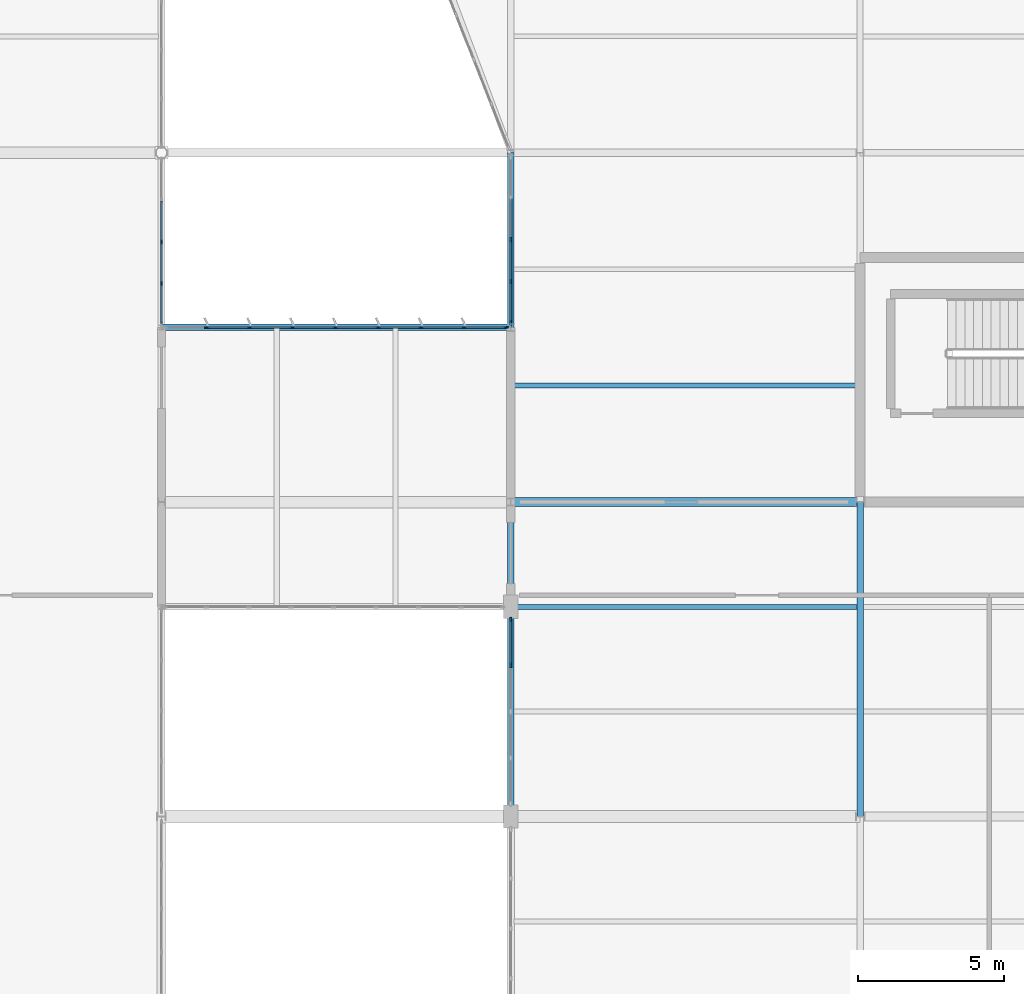
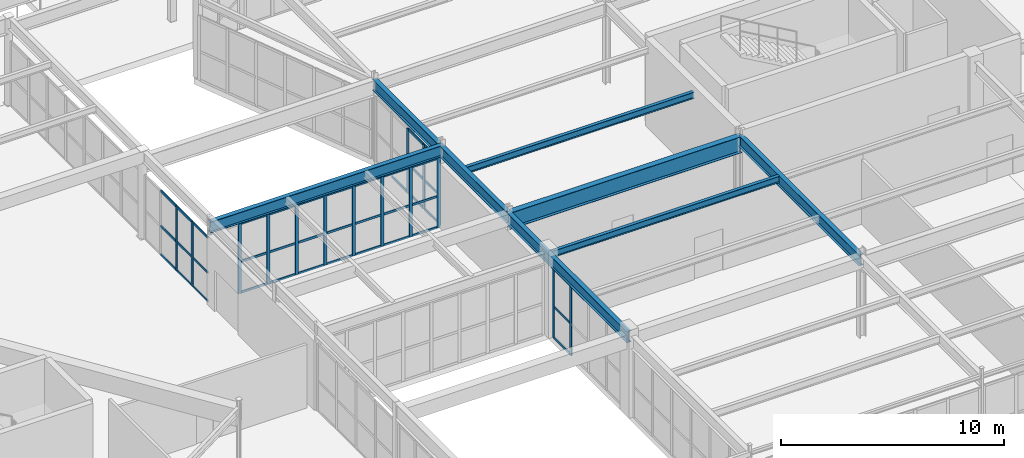
# One storey, part 87 of 186: 55 members, 7 beams, 4 elements without a shape of their own.
"""IFC4 building model written with IfcOpenShell, lengths in metres."""

from ifc_helpers import new_model, si_unit, direction, frame, origin, origin_2d, place, context, subcontext, project, spatial, rectangle, i_section, extrude, material, layer, layer_set, material_profile, profile_set, type_object, element, aggregate, save


model = new_model("IFC4")

# Units and contexts
model_context = context("Model", 3, precision=1e-05, world=origin(), true_north=direction((0.0, 1.0)))
body_context = subcontext(model_context, "Body", "Model", "MODEL_VIEW")
ifc_project = project(units=[si_unit("LENGTHUNIT", "METRE"), si_unit("AREAUNIT", "SQUARE_METRE"), si_unit("VOLUMEUNIT", "CUBIC_METRE"), si_unit("PLANEANGLEUNIT", "RADIAN"), si_unit("MASSUNIT", "GRAM", prefix="KILO")], contexts=[model_context])

# Site, building, storey
site_placement = place(None, origin())
site = spatial("IfcSite", under=ifc_project, at=site_placement, CompositionType="ELEMENT")
building_placement = place(site_placement, origin())
building = spatial("IfcBuilding", under=site, at=building_placement, Name="Tarnwether General Hospital", CompositionType="ELEMENT")
storey_placement = place(building_placement, frame((0.0, 0.0, 9.60009765625)))
storey = spatial("IfcBuildingStorey", under=building, at=storey_placement, Name="L02", CompositionType="ELEMENT", Elevation=9.60009765625)

# Beams
ifc_material_1 = material(Name="Steel Grade 350 (350 MPa)", Category="steel")
ifc_material_profile_1 = material_profile(ifc_material_1, i_section(OverallWidth=0.300048828125, OverallDepth=0.89990234375, WebThickness=0.011962890625, FlangeThickness=0.02001953125, at=origin_2d()), Name="900WB175")
ifc_profile_set_1 = profile_set([ifc_material_profile_1], Name="Steel Grade 350 (350 MPa)")
beam_type_1 = type_object("IfcBeamType", Name="BM-G01", PredefinedType="BEAM", material=ifc_profile_set_1)
beam_1_placement = place(storey_placement, frame((144.0, 21.60009765625, 3.994873046875), z_axis=(1.0, 0.0, 0.0), x_axis=(0.0, 1.0, 0.0)))
element("IfcBeam", 1, at=beam_1_placement, inside=storey, type_object=beam_type_1, Name="Primary Girder BMG-L02-14400_2160-15600_2160-1571", PredefinedType="BEAM", context=body_context, shape_type="SweptSolid", body=[
    extrude(i_section(OverallWidth=0.300048828125, OverallDepth=0.89990234375, WebThickness=0.011962890625, FlangeThickness=0.02001953125, at=origin_2d()), origin(), (0.0, 0.0, 1.0), 12.0),
])
ifc_material_2 = material(Name="Steel Grade 350 (350 MPa)", Category="steel")
ifc_material_profile_2 = material_profile(ifc_material_2, i_section(OverallWidth=0.22900390625, OverallDepth=0.612060546875, WebThickness=0.011962890625, FlangeThickness=0.01953125, at=origin_2d()), Name="610UB125")
ifc_profile_set_2 = profile_set([ifc_material_profile_2], Name="Steel Grade 350 (350 MPa)")
beam_type_2 = type_object("IfcBeamType", Name="BM-G03", PredefinedType="BEAM", material=ifc_profile_set_2)
beam_2_placement = place(storey_placement, frame((144.0, 10.800048828125, 4.138916015625), z_axis=(0.0, 1.0, 0.0), x_axis=(-1.0, 0.0, 0.0)))
element("IfcBeam", 2, at=beam_2_placement, inside=storey, type_object=beam_type_2, Name="Primary Girder BMG-L02-14400_1080-14400_2160-1570", PredefinedType="BEAM", context=body_context, shape_type="SweptSolid", body=[
    extrude(i_section(OverallWidth=0.22900390625, OverallDepth=0.612060546875, WebThickness=0.011962890625, FlangeThickness=0.01953125, at=origin_2d()), origin(), (0.0, 0.0, 1.0), 10.800048828125),
])
beam_3_placement = place(storey_placement, frame((132.0, 27.60009765625, 4.183837890625), z_axis=(1.0, 0.0, 0.0), x_axis=(0.0, 1.0, 0.0)))
element("IfcBeam", 3, at=beam_3_placement, inside=storey, type_object=beam_type_2, Name="Court Link Bridge Girder South BMG-L02-13200_2760-14400_2760-1871", PredefinedType="BEAM", context=body_context, shape_type="SweptSolid", body=[
    extrude(i_section(OverallWidth=0.22900390625, OverallDepth=0.612060546875, WebThickness=0.011962890625, FlangeThickness=0.01953125, at=origin_2d()), origin(), (0.0, 0.0, 1.0), 12.0),
])
ifc_material_3 = material(Name="Steel Grade 350 (350 MPa)", Category="steel")
ifc_material_profile_3 = material_profile(ifc_material_3, i_section(OverallWidth=0.22802734375, OverallDepth=0.60693359375, WebThickness=0.01123046875, FlangeThickness=0.017333984375, at=origin_2d()), Name="610UB113")
ifc_profile_set_3 = profile_set([ifc_material_profile_3], Name="Steel Grade 350 (350 MPa)")
beam_type_3 = type_object("IfcBeamType", Name="BM-G04", PredefinedType="BEAM", material=ifc_profile_set_3)
beam_4_placement = place(storey_placement, frame((144.0, 21.60009765625, 4.141357421875), z_axis=(0.0, 1.0, 0.0), x_axis=(-1.0, 0.0, 0.0)))
element("IfcBeam", 4, at=beam_4_placement, inside=storey, type_object=beam_type_3, Name="Primary Girder BMG-L02-14400_2160-14400_3360-1572", PredefinedType="BEAM", context=body_context, shape_type="SweptSolid", body=[
    extrude(i_section(OverallWidth=0.22802734375, OverallDepth=0.60693359375, WebThickness=0.01123046875, FlangeThickness=0.017333984375, at=origin_2d()), origin(), (0.0, 0.0, 1.0), 12.0),
])
beam_5_placement = place(storey_placement, frame((156.0, 10.800048828125, 4.141357421875), z_axis=(0.0, 1.0, 0.0), x_axis=(-1.0, 0.0, 0.0)))
element("IfcBeam", 5, at=beam_5_placement, inside=storey, type_object=beam_type_3, Name="Primary Girder BMG-L02-15600_1080-15600_2160-1591", PredefinedType="BEAM", context=body_context, shape_type="SweptSolid", body=[
    extrude(i_section(OverallWidth=0.22802734375, OverallDepth=0.60693359375, WebThickness=0.01123046875, FlangeThickness=0.017333984375, at=origin_2d()), origin(), (0.0, 0.0, 1.0), 10.800048828125),
])
ifc_material_4 = material(Name="Steel Grade 350 (350 MPa)", Category="steel")
ifc_material_profile_4 = material_profile(ifc_material_4, i_section(OverallWidth=0.1708984375, OverallDepth=0.35595703125, WebThickness=0.00732421875, FlangeThickness=0.011474609375, at=origin_2d()), Name="360UB50.7")
ifc_profile_set_4 = profile_set([ifc_material_profile_4], Name="Steel Grade 350 (350 MPa)")
beam_type_4 = type_object("IfcBeamType", Name="BM-J04", PredefinedType="JOIST", material=ifc_profile_set_4)
for number, where, z_axis, x_axis, name in (
    (6, (144.10791015625, 18.0, 4.266845703125), (1.0, 0.0, 0.0), (0.0, 1.0, 0.0), "Composite Floor Joist BMG-L02-14411_1800-15589_1800-1709"),
    (7, (144.10791015625, 25.60009765625, 4.266845703125), (1.0, 0.0, 0.0), (0.0, 1.0, 0.0), "Composite Floor Joist BMG-L02-14411_2560-15589_2560-1710"),
):
    element("IfcBeam", number, at=place(storey_placement, frame(where, z_axis=z_axis, x_axis=x_axis)), inside=storey, type_object=beam_type_4, Name=name, PredefinedType="JOIST", context=body_context, shape_type="SweptSolid", body=[
        extrude(i_section(OverallWidth=0.1708984375, OverallDepth=0.35595703125, WebThickness=0.00732421875, FlangeThickness=0.011474609375, at=origin_2d()), origin(), (0.0, 0.0, 1.0), 11.7841796875),
    ])

# Curtain wall, members
ifc_material_5 = material(Name="Anodised aluminium", Category="aluminium")
ifc_layer_1 = layer(ifc_material_5, 0.159912109375)
ifc_layer_set_1 = layer_set([ifc_layer_1], Name="Anodised aluminium")
curtain_wall_type_1 = type_object("IfcCurtainWallType", Name="CW-15", PredefinedType="NOTDEFINED", material=ifc_layer_set_1)
curtain_wall_1_placement = place(storey_placement, origin())
curtain_wall_1 = element("IfcCurtainWall", 8, at=curtain_wall_1_placement, inside=storey, type_object=curtain_wall_type_1, Name="Curtain Wall CWG-L02-1440_112-0437", PredefinedType="NOTDEFINED")
ifc_material_6 = material(Name="Anodised aluminium", Category="aluminium")
ifc_material_profile_5 = material_profile(ifc_material_6, rectangle(XDim=0.06005859375, YDim=0.159912109375, at=origin_2d()), Name="ALU-MUL-60x160")
ifc_profile_set_5 = profile_set([ifc_material_profile_5], Name="Anodised aluminium")
member_type_1 = type_object("IfcMemberType", Name="CW-ML1", PredefinedType="MULLION", material=ifc_profile_set_5)
member_1_placement = place(storey_placement, frame((144.0, 15.99609375, 0.0), z_axis=(0.0, 0.0, 1.0), x_axis=(-1.0, 0.0, 0.0)))
member_1 = element("IfcMember", 9, at=member_1_placement, type_object=member_type_1, Name="CW-15 mullion 4", PredefinedType="MULLION", context=body_context, shape_type="SweptSolid", body=[
    extrude(rectangle(XDim=0.06005859375, YDim=0.159912109375, at=origin_2d()), origin(), (0.0, 0.0, 1.0), 3.81787109375),
])
member_2_placement = place(storey_placement, frame((144.0, 17.56201171875, 0.0), z_axis=(0.0, 0.0, 1.0), x_axis=(-1.0, 0.0, 0.0)))
member_2 = element("IfcMember", 10, at=member_2_placement, type_object=member_type_1, Name="CW-15 mullion 5", PredefinedType="MULLION", context=body_context, shape_type="SweptSolid", body=[
    extrude(rectangle(XDim=0.06005859375, YDim=0.159912109375, at=origin_2d()), origin(), (0.0, 0.0, 1.0), 3.81787109375),
])

curtain_wall_2_placement = place(storey_placement, origin())
curtain_wall_2 = element("IfcCurtainWall", 11, at=curtain_wall_2_placement, inside=storey, type_object=curtain_wall_type_1, Name="Curtain Wall CWG-L02-1320_334-0439", PredefinedType="NOTDEFINED")
member_3_placement = place(storey_placement, frame((132.0, 30.53662109375, 0.0), z_axis=(0.0, 0.0, 1.0), x_axis=(1.0, 0.0, 0.0)))
member_3 = element("IfcMember", 12, at=member_3_placement, type_object=member_type_1, Name="CW-15 mullion 3", PredefinedType="MULLION", context=body_context, shape_type="SweptSolid", body=[
    extrude(rectangle(XDim=0.06005859375, YDim=0.159912109375, at=origin_2d()), origin(), (0.0, 0.0, 1.0), 3.52978515625),
])
member_4_placement = place(storey_placement, frame((132.0, 29.1103515625, 0.0), z_axis=(0.0, 0.0, 1.0), x_axis=(1.0, 0.0, 0.0)))
member_4 = element("IfcMember", 13, at=member_4_placement, type_object=member_type_1, Name="CW-15 mullion 4", PredefinedType="MULLION", context=body_context, shape_type="SweptSolid", body=[
    extrude(rectangle(XDim=0.06005859375, YDim=0.159912109375, at=origin_2d()), origin(), (0.0, 0.0, 1.0), 3.52978515625),
])

curtain_wall_3_placement = place(storey_placement, origin())
curtain_wall_3 = element("IfcCurtainWall", 14, at=curtain_wall_3_placement, inside=storey, type_object=curtain_wall_type_1, Name="Curtain Wall CWG-L02-1440_277-0440", PredefinedType="NOTDEFINED")
member_5_placement = place(storey_placement, frame((144.0, 27.764892578125, 0.0), z_axis=(0.0, 0.0, 1.0), x_axis=(-1.0, 0.0, 0.0)))
member_5 = element("IfcMember", 15, at=member_5_placement, type_object=member_type_1, Name="CW-15 mullion 1", PredefinedType="MULLION", context=body_context, shape_type="SweptSolid", body=[
    extrude(rectangle(XDim=0.06005859375, YDim=0.159912109375, at=origin_2d()), origin(), (0.0, 0.0, 1.0), 3.52978515625),
])
member_6_placement = place(storey_placement, frame((144.0, 29.173095703125, 0.0), z_axis=(0.0, 0.0, 1.0), x_axis=(-1.0, 0.0, 0.0)))
member_6 = element("IfcMember", 16, at=member_6_placement, type_object=member_type_1, Name="CW-15 mullion 2", PredefinedType="MULLION", context=body_context, shape_type="SweptSolid", body=[
    extrude(rectangle(XDim=0.06005859375, YDim=0.159912109375, at=origin_2d()), origin(), (0.0, 0.0, 1.0), 3.52978515625),
])
member_7_placement = place(storey_placement, frame((144.0, 30.611083984375, 0.0), z_axis=(0.0, 0.0, 1.0), x_axis=(-1.0, 0.0, 0.0)))
member_7 = element("IfcMember", 17, at=member_7_placement, type_object=member_type_1, Name="CW-15 mullion 3", PredefinedType="MULLION", context=body_context, shape_type="SweptSolid", body=[
    extrude(rectangle(XDim=0.06005859375, YDim=0.159912109375, at=origin_2d()), origin(), (0.0, 0.0, 1.0), 3.52978515625),
])

ifc_material_7 = material(Name="Anodised aluminium", Category="aluminium")
ifc_layer_2 = layer(ifc_material_7, 0.159912109375)
ifc_layer_set_2 = layer_set([ifc_layer_2], Name="Anodised aluminium")
curtain_wall_type_2 = type_object("IfcCurtainWallType", Name="CW-21", PredefinedType="NOTDEFINED", material=ifc_layer_set_2)
curtain_wall_4_placement = place(storey_placement, origin())
curtain_wall_4 = element("IfcCurtainWall", 18, at=curtain_wall_4_placement, inside=storey, type_object=curtain_wall_type_2, Name="Curtain Wall CWG-L02-1321_276-0472", PredefinedType="NOTDEFINED")
member_8_placement = place(storey_placement, frame((133.556640625, 27.60009765625, 0.0), z_axis=(0.0, 0.0, 1.0), x_axis=(0.0, 1.0, 0.0)))
member_8 = element("IfcMember", 19, at=member_8_placement, type_object=member_type_1, Name="CW-21 mullion 2", PredefinedType="MULLION", context=body_context, shape_type="SweptSolid", body=[
    extrude(rectangle(XDim=0.06005859375, YDim=0.159912109375, at=origin_2d()), origin(), (0.0, 0.0, 1.0), 3.822998046875),
])
member_9_placement = place(storey_placement, frame((135.029296875, 27.60009765625, 0.0), z_axis=(0.0, 0.0, 1.0), x_axis=(0.0, 1.0, 0.0)))
member_9 = element("IfcMember", 20, at=member_9_placement, type_object=member_type_1, Name="CW-21 mullion 3", PredefinedType="MULLION", context=body_context, shape_type="SweptSolid", body=[
    extrude(rectangle(XDim=0.06005859375, YDim=0.159912109375, at=origin_2d()), origin(), (0.0, 0.0, 1.0), 3.822998046875),
])
member_10_placement = place(storey_placement, frame((136.501953125, 27.60009765625, 0.0), z_axis=(0.0, 0.0, 1.0), x_axis=(0.0, 1.0, 0.0)))
member_10 = element("IfcMember", 21, at=member_10_placement, type_object=member_type_1, Name="CW-21 mullion 4", PredefinedType="MULLION", context=body_context, shape_type="SweptSolid", body=[
    extrude(rectangle(XDim=0.06005859375, YDim=0.159912109375, at=origin_2d()), origin(), (0.0, 0.0, 1.0), 3.822998046875),
])
member_11_placement = place(storey_placement, frame((137.974609375, 27.60009765625, 0.0), z_axis=(0.0, 0.0, 1.0), x_axis=(0.0, 1.0, 0.0)))
member_11 = element("IfcMember", 22, at=member_11_placement, type_object=member_type_1, Name="CW-21 mullion 5", PredefinedType="MULLION", context=body_context, shape_type="SweptSolid", body=[
    extrude(rectangle(XDim=0.06005859375, YDim=0.159912109375, at=origin_2d()), origin(), (0.0, 0.0, 1.0), 3.822998046875),
])
member_12_placement = place(storey_placement, frame((139.447021484375, 27.60009765625, 0.0), z_axis=(0.0, 0.0, 1.0), x_axis=(0.0, 1.0, 0.0)))
member_12 = element("IfcMember", 23, at=member_12_placement, type_object=member_type_1, Name="CW-21 mullion 6", PredefinedType="MULLION", context=body_context, shape_type="SweptSolid", body=[
    extrude(rectangle(XDim=0.06005859375, YDim=0.159912109375, at=origin_2d()), origin(), (0.0, 0.0, 1.0), 3.822998046875),
])
member_13_placement = place(storey_placement, frame((140.919677734375, 27.60009765625, 0.0), z_axis=(0.0, 0.0, 1.0), x_axis=(0.0, 1.0, 0.0)))
member_13 = element("IfcMember", 24, at=member_13_placement, type_object=member_type_1, Name="CW-21 mullion 7", PredefinedType="MULLION", context=body_context, shape_type="SweptSolid", body=[
    extrude(rectangle(XDim=0.06005859375, YDim=0.159912109375, at=origin_2d()), origin(), (0.0, 0.0, 1.0), 3.822998046875),
])
member_14_placement = place(storey_placement, frame((142.392333984375, 27.60009765625, 0.0), z_axis=(0.0, 0.0, 1.0), x_axis=(0.0, 1.0, 0.0)))
member_14 = element("IfcMember", 25, at=member_14_placement, type_object=member_type_1, Name="CW-21 mullion 8", PredefinedType="MULLION", context=body_context, shape_type="SweptSolid", body=[
    extrude(rectangle(XDim=0.06005859375, YDim=0.159912109375, at=origin_2d()), origin(), (0.0, 0.0, 1.0), 3.822998046875),
])
member_15_placement = place(storey_placement, frame((143.8349609375, 27.60009765625, 0.0), z_axis=(0.0, 0.0, 1.0), x_axis=(0.0, 1.0, 0.0)))
member_15 = element("IfcMember", 26, at=member_15_placement, type_object=member_type_1, Name="CW-21 mullion 9", PredefinedType="MULLION", context=body_context, shape_type="SweptSolid", body=[
    extrude(rectangle(XDim=0.06005859375, YDim=0.159912109375, at=origin_2d()), origin(), (0.0, 0.0, 1.0), 3.822998046875),
])

# Member
ifc_material_8 = material(Name="Anodised aluminium", Category="aluminium")
ifc_material_profile_6 = material_profile(ifc_material_8, rectangle(XDim=0.06005859375, YDim=0.1201171875, at=origin_2d()), Name="ALU-TRN-60x120")
ifc_profile_set_6 = profile_set([ifc_material_profile_6], Name="Anodised aluminium")
member_type_2 = type_object("IfcMemberType", Name="CW-TR1", PredefinedType="USERDEFINED", material=ifc_profile_set_6)
member_16_placement = place(storey_placement, frame((144.0, 16.02587890625, 0.02978515625), z_axis=(0.0, 1.0, 0.0), x_axis=(-1.0, 0.0, 0.0)))
member_16 = element("IfcMember", 27, at=member_16_placement, type_object=member_type_2, Name="CW-15 transom 4.1", ObjectType="TRANSOM", PredefinedType="USERDEFINED", context=body_context, shape_type="SweptSolid", body=[
    extrude(rectangle(XDim=0.06005859375, YDim=0.1201171875, at=origin_2d()), origin(), (0.0, 0.0, 1.0), 1.506103515625),
])

member_17_placement = place(storey_placement, frame((144.0, 16.02587890625, 1.718017578125), z_axis=(0.0, 1.0, 0.0), x_axis=(-1.0, 0.0, 0.0)))
member_17 = element("IfcMember", 28, at=member_17_placement, type_object=member_type_2, Name="CW-15 transom 4.2", ObjectType="TRANSOM", PredefinedType="USERDEFINED", context=body_context, shape_type="SweptSolid", body=[
    extrude(rectangle(XDim=0.06005859375, YDim=0.1201171875, at=origin_2d()), origin(), (0.0, 0.0, 1.0), 1.506103515625),
])

member_18_placement = place(storey_placement, frame((144.0, 16.02587890625, 3.787841796875), z_axis=(0.0, 1.0, 0.0), x_axis=(-1.0, 0.0, 0.0)))
member_18 = element("IfcMember", 29, at=member_18_placement, type_object=member_type_2, Name="CW-15 transom 4.3", ObjectType="TRANSOM", PredefinedType="USERDEFINED", context=body_context, shape_type="SweptSolid", body=[
    extrude(rectangle(XDim=0.06005859375, YDim=0.1201171875, at=origin_2d()), origin(), (0.0, 0.0, 1.0), 1.506103515625),
])

aggregate(curtain_wall_1, [member_1, member_2, member_16, member_17, member_18])

member_19_placement = place(storey_placement, frame((132.0, 31.932861328125, 0.02978515625), z_axis=(0.0, -1.0, 0.0), x_axis=(1.0, 0.0, 0.0)))
member_19 = element("IfcMember", 30, at=member_19_placement, type_object=member_type_2, Name="CW-15 transom 2.1", ObjectType="TRANSOM", PredefinedType="USERDEFINED", context=body_context, shape_type="SweptSolid", body=[
    extrude(rectangle(XDim=0.06005859375, YDim=0.1201171875, at=origin_2d()), origin(), (0.0, 0.0, 1.0), 1.366455078125),
])

member_20_placement = place(storey_placement, frame((132.0, 31.932861328125, 1.58837890625), z_axis=(0.0, -1.0, 0.0), x_axis=(1.0, 0.0, 0.0)))
member_20 = element("IfcMember", 31, at=member_20_placement, type_object=member_type_2, Name="CW-15 transom 2.2", ObjectType="TRANSOM", PredefinedType="USERDEFINED", context=body_context, shape_type="SweptSolid", body=[
    extrude(rectangle(XDim=0.06005859375, YDim=0.1201171875, at=origin_2d()), origin(), (0.0, 0.0, 1.0), 1.366455078125),
])

member_21_placement = place(storey_placement, frame((132.0, 31.932861328125, 3.5), z_axis=(0.0, -1.0, 0.0), x_axis=(1.0, 0.0, 0.0)))
member_21 = element("IfcMember", 32, at=member_21_placement, type_object=member_type_2, Name="CW-15 transom 2.3", ObjectType="TRANSOM", PredefinedType="USERDEFINED", context=body_context, shape_type="SweptSolid", body=[
    extrude(rectangle(XDim=0.06005859375, YDim=0.1201171875, at=origin_2d()), origin(), (0.0, 0.0, 1.0), 1.366455078125),
])

member_22_placement = place(storey_placement, frame((132.0, 30.506591796875, 0.02978515625), z_axis=(0.0, -1.0, 0.0), x_axis=(1.0, 0.0, 0.0)))
member_22 = element("IfcMember", 33, at=member_22_placement, type_object=member_type_2, Name="CW-15 transom 3.1", ObjectType="TRANSOM", PredefinedType="USERDEFINED", context=body_context, shape_type="SweptSolid", body=[
    extrude(rectangle(XDim=0.06005859375, YDim=0.1201171875, at=origin_2d()), origin(), (0.0, 0.0, 1.0), 1.366455078125),
])

member_23_placement = place(storey_placement, frame((132.0, 30.506591796875, 1.58837890625), z_axis=(0.0, -1.0, 0.0), x_axis=(1.0, 0.0, 0.0)))
member_23 = element("IfcMember", 34, at=member_23_placement, type_object=member_type_2, Name="CW-15 transom 3.2", ObjectType="TRANSOM", PredefinedType="USERDEFINED", context=body_context, shape_type="SweptSolid", body=[
    extrude(rectangle(XDim=0.06005859375, YDim=0.1201171875, at=origin_2d()), origin(), (0.0, 0.0, 1.0), 1.366455078125),
])

member_24_placement = place(storey_placement, frame((132.0, 30.506591796875, 3.5), z_axis=(0.0, -1.0, 0.0), x_axis=(1.0, 0.0, 0.0)))
member_24 = element("IfcMember", 35, at=member_24_placement, type_object=member_type_2, Name="CW-15 transom 3.3", ObjectType="TRANSOM", PredefinedType="USERDEFINED", context=body_context, shape_type="SweptSolid", body=[
    extrude(rectangle(XDim=0.06005859375, YDim=0.1201171875, at=origin_2d()), origin(), (0.0, 0.0, 1.0), 1.366455078125),
])

member_25_placement = place(storey_placement, frame((132.0, 29.080322265625, 0.02978515625), z_axis=(0.0, -1.0, 0.0), x_axis=(1.0, 0.0, 0.0)))
member_25 = element("IfcMember", 36, at=member_25_placement, type_object=member_type_2, Name="CW-15 transom 4.1", ObjectType="TRANSOM", PredefinedType="USERDEFINED", context=body_context, shape_type="SweptSolid", body=[
    extrude(rectangle(XDim=0.06005859375, YDim=0.1201171875, at=origin_2d()), origin(), (0.0, 0.0, 1.0), 1.33642578125),
])

member_26_placement = place(storey_placement, frame((132.0, 29.080322265625, 1.58837890625), z_axis=(0.0, -1.0, 0.0), x_axis=(1.0, 0.0, 0.0)))
member_26 = element("IfcMember", 37, at=member_26_placement, type_object=member_type_2, Name="CW-15 transom 4.2", ObjectType="TRANSOM", PredefinedType="USERDEFINED", context=body_context, shape_type="SweptSolid", body=[
    extrude(rectangle(XDim=0.06005859375, YDim=0.1201171875, at=origin_2d()), origin(), (0.0, 0.0, 1.0), 1.33642578125),
])

member_27_placement = place(storey_placement, frame((132.0, 29.080322265625, 3.5), z_axis=(0.0, -1.0, 0.0), x_axis=(1.0, 0.0, 0.0)))
member_27 = element("IfcMember", 38, at=member_27_placement, type_object=member_type_2, Name="CW-15 transom 4.3", ObjectType="TRANSOM", PredefinedType="USERDEFINED", context=body_context, shape_type="SweptSolid", body=[
    extrude(rectangle(XDim=0.06005859375, YDim=0.1201171875, at=origin_2d()), origin(), (0.0, 0.0, 1.0), 1.33642578125),
])

aggregate(curtain_wall_2, [member_3, member_4, member_19, member_20, member_21, member_22, member_23, member_24, member_25, member_26, member_27])

member_28_placement = place(storey_placement, frame((144.0, 27.794921875, 0.02978515625), z_axis=(0.0, 1.0, 0.0), x_axis=(-1.0, 0.0, 0.0)))
member_28 = element("IfcMember", 39, at=member_28_placement, type_object=member_type_2, Name="CW-15 transom 1.1", ObjectType="TRANSOM", PredefinedType="USERDEFINED", context=body_context, shape_type="SweptSolid", body=[
    extrude(rectangle(XDim=0.06005859375, YDim=0.1201171875, at=origin_2d()), origin(), (0.0, 0.0, 1.0), 1.34814453125),
])

member_29_placement = place(storey_placement, frame((144.0, 27.794921875, 1.58837890625), z_axis=(0.0, 1.0, 0.0), x_axis=(-1.0, 0.0, 0.0)))
member_29 = element("IfcMember", 40, at=member_29_placement, type_object=member_type_2, Name="CW-15 transom 1.2", ObjectType="TRANSOM", PredefinedType="USERDEFINED", context=body_context, shape_type="SweptSolid", body=[
    extrude(rectangle(XDim=0.06005859375, YDim=0.1201171875, at=origin_2d()), origin(), (0.0, 0.0, 1.0), 1.34814453125),
])

member_30_placement = place(storey_placement, frame((144.0, 27.794921875, 3.5), z_axis=(0.0, 1.0, 0.0), x_axis=(-1.0, 0.0, 0.0)))
member_30 = element("IfcMember", 41, at=member_30_placement, type_object=member_type_2, Name="CW-15 transom 1.3", ObjectType="TRANSOM", PredefinedType="USERDEFINED", context=body_context, shape_type="SweptSolid", body=[
    extrude(rectangle(XDim=0.06005859375, YDim=0.1201171875, at=origin_2d()), origin(), (0.0, 0.0, 1.0), 1.34814453125),
])

member_31_placement = place(storey_placement, frame((144.0, 29.202880859375, 0.02978515625), z_axis=(0.0, 1.0, 0.0), x_axis=(-1.0, 0.0, 0.0)))
member_31 = element("IfcMember", 42, at=member_31_placement, type_object=member_type_2, Name="CW-15 transom 2.1", ObjectType="TRANSOM", PredefinedType="USERDEFINED", context=body_context, shape_type="SweptSolid", body=[
    extrude(rectangle(XDim=0.06005859375, YDim=0.1201171875, at=origin_2d()), origin(), (0.0, 0.0, 1.0), 1.378173828125),
])

member_32_placement = place(storey_placement, frame((144.0, 29.202880859375, 1.58837890625), z_axis=(0.0, 1.0, 0.0), x_axis=(-1.0, 0.0, 0.0)))
member_32 = element("IfcMember", 43, at=member_32_placement, type_object=member_type_2, Name="CW-15 transom 2.2", ObjectType="TRANSOM", PredefinedType="USERDEFINED", context=body_context, shape_type="SweptSolid", body=[
    extrude(rectangle(XDim=0.06005859375, YDim=0.1201171875, at=origin_2d()), origin(), (0.0, 0.0, 1.0), 1.378173828125),
])

member_33_placement = place(storey_placement, frame((144.0, 29.202880859375, 3.5), z_axis=(0.0, 1.0, 0.0), x_axis=(-1.0, 0.0, 0.0)))
member_33 = element("IfcMember", 44, at=member_33_placement, type_object=member_type_2, Name="CW-15 transom 2.3", ObjectType="TRANSOM", PredefinedType="USERDEFINED", context=body_context, shape_type="SweptSolid", body=[
    extrude(rectangle(XDim=0.06005859375, YDim=0.1201171875, at=origin_2d()), origin(), (0.0, 0.0, 1.0), 1.378173828125),
])

member_34_placement = place(storey_placement, frame((144.0, 30.64111328125, 0.02978515625), z_axis=(0.0, 1.0, 0.0), x_axis=(-1.0, 0.0, 0.0)))
member_34 = element("IfcMember", 45, at=member_34_placement, type_object=member_type_2, Name="CW-15 transom 3.1", ObjectType="TRANSOM", PredefinedType="USERDEFINED", context=body_context, shape_type="SweptSolid", body=[
    extrude(rectangle(XDim=0.06005859375, YDim=0.1201171875, at=origin_2d()), origin(), (0.0, 0.0, 1.0), 1.3779296875),
])

aggregate(curtain_wall_3, [member_5, member_6, member_7, member_28, member_29, member_30, member_31, member_32, member_33, member_34])

member_35_placement = place(storey_placement, frame((133.586669921875, 27.60009765625, 0.02978515625), z_axis=(1.0, 0.0, 0.0), x_axis=(0.0, 1.0, 0.0)))
member_35 = element("IfcMember", 46, at=member_35_placement, type_object=member_type_2, Name="CW-21 transom 2.1", ObjectType="TRANSOM", PredefinedType="USERDEFINED", context=body_context, shape_type="SweptSolid", body=[
    extrude(rectangle(XDim=0.06005859375, YDim=0.1201171875, at=origin_2d()), origin(), (0.0, 0.0, 1.0), 1.41259765625),
])

member_36_placement = place(storey_placement, frame((133.586669921875, 27.60009765625, 1.72021484375), z_axis=(1.0, 0.0, 0.0), x_axis=(0.0, 1.0, 0.0)))
member_36 = element("IfcMember", 47, at=member_36_placement, type_object=member_type_2, Name="CW-21 transom 2.2", ObjectType="TRANSOM", PredefinedType="USERDEFINED", context=body_context, shape_type="SweptSolid", body=[
    extrude(rectangle(XDim=0.06005859375, YDim=0.1201171875, at=origin_2d()), origin(), (0.0, 0.0, 1.0), 1.41259765625),
])

member_37_placement = place(storey_placement, frame((133.586669921875, 27.60009765625, 3.79296875), z_axis=(1.0, 0.0, 0.0), x_axis=(0.0, 1.0, 0.0)))
member_37 = element("IfcMember", 48, at=member_37_placement, type_object=member_type_2, Name="CW-21 transom 2.3", ObjectType="TRANSOM", PredefinedType="USERDEFINED", context=body_context, shape_type="SweptSolid", body=[
    extrude(rectangle(XDim=0.06005859375, YDim=0.1201171875, at=origin_2d()), origin(), (0.0, 0.0, 1.0), 1.41259765625),
])

member_38_placement = place(storey_placement, frame((135.059326171875, 27.60009765625, 0.02978515625), z_axis=(1.0, 0.0, 0.0), x_axis=(0.0, 1.0, 0.0)))
member_38 = element("IfcMember", 49, at=member_38_placement, type_object=member_type_2, Name="CW-21 transom 3.1", ObjectType="TRANSOM", PredefinedType="USERDEFINED", context=body_context, shape_type="SweptSolid", body=[
    extrude(rectangle(XDim=0.06005859375, YDim=0.1201171875, at=origin_2d()), origin(), (0.0, 0.0, 1.0), 1.41259765625),
])

member_39_placement = place(storey_placement, frame((135.059326171875, 27.60009765625, 1.72021484375), z_axis=(1.0, 0.0, 0.0), x_axis=(0.0, 1.0, 0.0)))
member_39 = element("IfcMember", 50, at=member_39_placement, type_object=member_type_2, Name="CW-21 transom 3.2", ObjectType="TRANSOM", PredefinedType="USERDEFINED", context=body_context, shape_type="SweptSolid", body=[
    extrude(rectangle(XDim=0.06005859375, YDim=0.1201171875, at=origin_2d()), origin(), (0.0, 0.0, 1.0), 1.41259765625),
])

member_40_placement = place(storey_placement, frame((135.059326171875, 27.60009765625, 3.79296875), z_axis=(1.0, 0.0, 0.0), x_axis=(0.0, 1.0, 0.0)))
member_40 = element("IfcMember", 51, at=member_40_placement, type_object=member_type_2, Name="CW-21 transom 3.3", ObjectType="TRANSOM", PredefinedType="USERDEFINED", context=body_context, shape_type="SweptSolid", body=[
    extrude(rectangle(XDim=0.06005859375, YDim=0.1201171875, at=origin_2d()), origin(), (0.0, 0.0, 1.0), 1.41259765625),
])

member_41_placement = place(storey_placement, frame((136.531982421875, 27.60009765625, 0.02978515625), z_axis=(1.0, 0.0, 0.0), x_axis=(0.0, 1.0, 0.0)))
member_41 = element("IfcMember", 52, at=member_41_placement, type_object=member_type_2, Name="CW-21 transom 4.1", ObjectType="TRANSOM", PredefinedType="USERDEFINED", context=body_context, shape_type="SweptSolid", body=[
    extrude(rectangle(XDim=0.06005859375, YDim=0.1201171875, at=origin_2d()), origin(), (0.0, 0.0, 1.0), 1.41259765625),
])

member_42_placement = place(storey_placement, frame((136.531982421875, 27.60009765625, 1.72021484375), z_axis=(1.0, 0.0, 0.0), x_axis=(0.0, 1.0, 0.0)))
member_42 = element("IfcMember", 53, at=member_42_placement, type_object=member_type_2, Name="CW-21 transom 4.2", ObjectType="TRANSOM", PredefinedType="USERDEFINED", context=body_context, shape_type="SweptSolid", body=[
    extrude(rectangle(XDim=0.06005859375, YDim=0.1201171875, at=origin_2d()), origin(), (0.0, 0.0, 1.0), 1.41259765625),
])

member_43_placement = place(storey_placement, frame((136.531982421875, 27.60009765625, 3.79296875), z_axis=(1.0, 0.0, 0.0), x_axis=(0.0, 1.0, 0.0)))
member_43 = element("IfcMember", 54, at=member_43_placement, type_object=member_type_2, Name="CW-21 transom 4.3", ObjectType="TRANSOM", PredefinedType="USERDEFINED", context=body_context, shape_type="SweptSolid", body=[
    extrude(rectangle(XDim=0.06005859375, YDim=0.1201171875, at=origin_2d()), origin(), (0.0, 0.0, 1.0), 1.41259765625),
])

member_44_placement = place(storey_placement, frame((138.00439453125, 27.60009765625, 0.02978515625), z_axis=(1.0, 0.0, 0.0), x_axis=(0.0, 1.0, 0.0)))
member_44 = element("IfcMember", 55, at=member_44_placement, type_object=member_type_2, Name="CW-21 transom 5.1", ObjectType="TRANSOM", PredefinedType="USERDEFINED", context=body_context, shape_type="SweptSolid", body=[
    extrude(rectangle(XDim=0.06005859375, YDim=0.1201171875, at=origin_2d()), origin(), (0.0, 0.0, 1.0), 1.412841796875),
])

member_45_placement = place(storey_placement, frame((138.00439453125, 27.60009765625, 1.72021484375), z_axis=(1.0, 0.0, 0.0), x_axis=(0.0, 1.0, 0.0)))
member_45 = element("IfcMember", 56, at=member_45_placement, type_object=member_type_2, Name="CW-21 transom 5.2", ObjectType="TRANSOM", PredefinedType="USERDEFINED", context=body_context, shape_type="SweptSolid", body=[
    extrude(rectangle(XDim=0.06005859375, YDim=0.1201171875, at=origin_2d()), origin(), (0.0, 0.0, 1.0), 1.412841796875),
])

member_46_placement = place(storey_placement, frame((138.00439453125, 27.60009765625, 3.79296875), z_axis=(1.0, 0.0, 0.0), x_axis=(0.0, 1.0, 0.0)))
member_46 = element("IfcMember", 57, at=member_46_placement, type_object=member_type_2, Name="CW-21 transom 5.3", ObjectType="TRANSOM", PredefinedType="USERDEFINED", context=body_context, shape_type="SweptSolid", body=[
    extrude(rectangle(XDim=0.06005859375, YDim=0.1201171875, at=origin_2d()), origin(), (0.0, 0.0, 1.0), 1.412841796875),
])

member_47_placement = place(storey_placement, frame((139.47705078125, 27.60009765625, 0.02978515625), z_axis=(1.0, 0.0, 0.0), x_axis=(0.0, 1.0, 0.0)))
member_47 = element("IfcMember", 58, at=member_47_placement, type_object=member_type_2, Name="CW-21 transom 6.1", ObjectType="TRANSOM", PredefinedType="USERDEFINED", context=body_context, shape_type="SweptSolid", body=[
    extrude(rectangle(XDim=0.06005859375, YDim=0.1201171875, at=origin_2d()), origin(), (0.0, 0.0, 1.0), 1.41259765625),
])

member_48_placement = place(storey_placement, frame((139.47705078125, 27.60009765625, 1.72021484375), z_axis=(1.0, 0.0, 0.0), x_axis=(0.0, 1.0, 0.0)))
member_48 = element("IfcMember", 59, at=member_48_placement, type_object=member_type_2, Name="CW-21 transom 6.2", ObjectType="TRANSOM", PredefinedType="USERDEFINED", context=body_context, shape_type="SweptSolid", body=[
    extrude(rectangle(XDim=0.06005859375, YDim=0.1201171875, at=origin_2d()), origin(), (0.0, 0.0, 1.0), 1.41259765625),
])

member_49_placement = place(storey_placement, frame((139.47705078125, 27.60009765625, 3.79296875), z_axis=(1.0, 0.0, 0.0), x_axis=(0.0, 1.0, 0.0)))
member_49 = element("IfcMember", 60, at=member_49_placement, type_object=member_type_2, Name="CW-21 transom 6.3", ObjectType="TRANSOM", PredefinedType="USERDEFINED", context=body_context, shape_type="SweptSolid", body=[
    extrude(rectangle(XDim=0.06005859375, YDim=0.1201171875, at=origin_2d()), origin(), (0.0, 0.0, 1.0), 1.41259765625),
])

member_50_placement = place(storey_placement, frame((140.94970703125, 27.60009765625, 0.02978515625), z_axis=(1.0, 0.0, 0.0), x_axis=(0.0, 1.0, 0.0)))
member_50 = element("IfcMember", 61, at=member_50_placement, type_object=member_type_2, Name="CW-21 transom 7.1", ObjectType="TRANSOM", PredefinedType="USERDEFINED", context=body_context, shape_type="SweptSolid", body=[
    extrude(rectangle(XDim=0.06005859375, YDim=0.1201171875, at=origin_2d()), origin(), (0.0, 0.0, 1.0), 1.41259765625),
])

member_51_placement = place(storey_placement, frame((140.94970703125, 27.60009765625, 1.72021484375), z_axis=(1.0, 0.0, 0.0), x_axis=(0.0, 1.0, 0.0)))
member_51 = element("IfcMember", 62, at=member_51_placement, type_object=member_type_2, Name="CW-21 transom 7.2", ObjectType="TRANSOM", PredefinedType="USERDEFINED", context=body_context, shape_type="SweptSolid", body=[
    extrude(rectangle(XDim=0.06005859375, YDim=0.1201171875, at=origin_2d()), origin(), (0.0, 0.0, 1.0), 1.41259765625),
])

member_52_placement = place(storey_placement, frame((140.94970703125, 27.60009765625, 3.79296875), z_axis=(1.0, 0.0, 0.0), x_axis=(0.0, 1.0, 0.0)))
member_52 = element("IfcMember", 63, at=member_52_placement, type_object=member_type_2, Name="CW-21 transom 7.3", ObjectType="TRANSOM", PredefinedType="USERDEFINED", context=body_context, shape_type="SweptSolid", body=[
    extrude(rectangle(XDim=0.06005859375, YDim=0.1201171875, at=origin_2d()), origin(), (0.0, 0.0, 1.0), 1.41259765625),
])

member_53_placement = place(storey_placement, frame((142.42236328125, 27.60009765625, 0.02978515625), z_axis=(1.0, 0.0, 0.0), x_axis=(0.0, 1.0, 0.0)))
member_53 = element("IfcMember", 64, at=member_53_placement, type_object=member_type_2, Name="CW-21 transom 8.1", ObjectType="TRANSOM", PredefinedType="USERDEFINED", context=body_context, shape_type="SweptSolid", body=[
    extrude(rectangle(XDim=0.06005859375, YDim=0.1201171875, at=origin_2d()), origin(), (0.0, 0.0, 1.0), 1.382568359375),
])

member_54_placement = place(storey_placement, frame((142.42236328125, 27.60009765625, 1.72021484375), z_axis=(1.0, 0.0, 0.0), x_axis=(0.0, 1.0, 0.0)))
member_54 = element("IfcMember", 65, at=member_54_placement, type_object=member_type_2, Name="CW-21 transom 8.2", ObjectType="TRANSOM", PredefinedType="USERDEFINED", context=body_context, shape_type="SweptSolid", body=[
    extrude(rectangle(XDim=0.06005859375, YDim=0.1201171875, at=origin_2d()), origin(), (0.0, 0.0, 1.0), 1.382568359375),
])

member_55_placement = place(storey_placement, frame((142.42236328125, 27.60009765625, 3.79296875), z_axis=(1.0, 0.0, 0.0), x_axis=(0.0, 1.0, 0.0)))
member_55 = element("IfcMember", 66, at=member_55_placement, type_object=member_type_2, Name="CW-21 transom 8.3", ObjectType="TRANSOM", PredefinedType="USERDEFINED", context=body_context, shape_type="SweptSolid", body=[
    extrude(rectangle(XDim=0.06005859375, YDim=0.1201171875, at=origin_2d()), origin(), (0.0, 0.0, 1.0), 1.382568359375),
])

aggregate(curtain_wall_4, [member_8, member_9, member_10, member_11, member_12, member_13, member_14, member_15, member_35, member_36, member_37, member_38, member_39, member_40, member_41, member_42, member_43, member_44, member_45, member_46, member_47, member_48, member_49, member_50, member_51, member_52, member_53, member_54, member_55])

save(model, "model.ifc")
